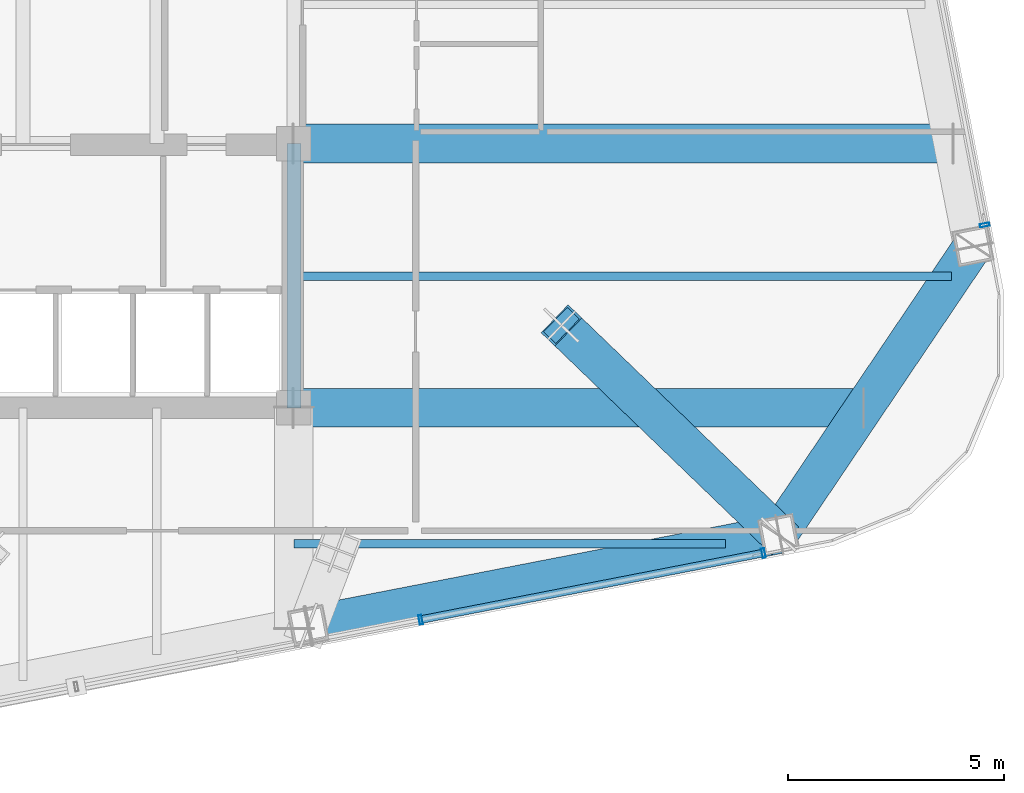
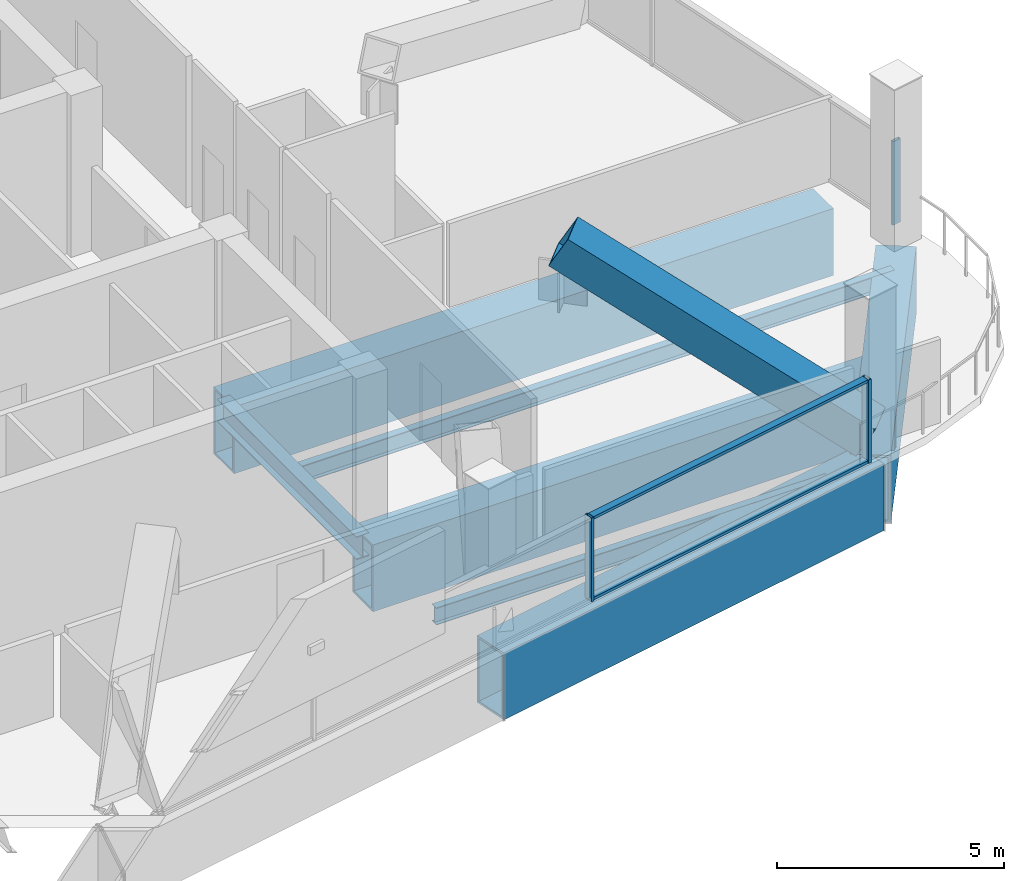
# One storey, part 8 of 26: 7 beams, 6 members, 2 elements without a shape of their own.
"""IFC4 building model written with IfcOpenShell, lengths in metres."""

from ifc_helpers import new_model, si_unit, direction, frame, origin, origin_2d, place, context, subcontext, project, spatial, hollow_rectangle, i_section, extrude, material, layer, layer_set, material_profile, profile_set, type_object, element, aggregate, save


model = new_model("IFC4")

# Units and contexts
model_context = context("Model", 3, precision=1e-05, world=origin(), true_north=direction((0.0, 1.0)))
body_context = subcontext(model_context, "Body", "Model", "MODEL_VIEW")
ifc_project = project(units=[si_unit("LENGTHUNIT", "METRE"), si_unit("AREAUNIT", "SQUARE_METRE"), si_unit("VOLUMEUNIT", "CUBIC_METRE"), si_unit("PLANEANGLEUNIT", "RADIAN"), si_unit("MASSUNIT", "GRAM", prefix="KILO")], contexts=[model_context])

# Site, building, storey
site_placement = place(None, origin())
site = spatial("IfcSite", under=ifc_project, at=site_placement, CompositionType="ELEMENT")
building_placement = place(site_placement, origin())
building = spatial("IfcBuilding", under=site, at=building_placement, Name="Qhalaya Broadcast Tower", CompositionType="ELEMENT")
storey_placement = place(building_placement, frame((0.0, 0.0, 140.25)))
storey = spatial("IfcBuildingStorey", under=building, at=storey_placement, Name="L41", CompositionType="ELEMENT", Elevation=140.25)

# Beams
ifc_material_1 = material(Name="Structural Steel ASTM A572 Grade 50", Category="steel")
ifc_material_profile_1 = material_profile(ifc_material_1, hollow_rectangle(XDim=0.89990234375, YDim=1.800048828125, WallThickness=0.06005859375, at=origin_2d()), Name="BOX 900x1800x60")
ifc_profile_set_1 = profile_set([ifc_material_profile_1], Name="Structural Steel ASTM A572 Grade 50")
beam_type_1 = type_object("IfcBeamType", Name="Block Cantilever Transfer Box Girder TG1", PredefinedType="USERDEFINED", material=ifc_profile_set_1)
beam_1_placement = place(storey_placement, frame((9.712646484375, -13.80029296875, -1.1201171875), z_axis=(0.981627979352, 0.190804900759, 0.0), x_axis=(-0.190804900759, 0.981627979352, 0.0)))
element("IfcBeam", 1, at=beam_1_placement, inside=storey, type_object=beam_type_1, Name="L41 TG1 L41-SPR-03", ObjectType="GIRDER", PredefinedType="USERDEFINED", context=body_context, shape_type="SweptSolid", body=[
    extrude(hollow_rectangle(XDim=0.89990234375, YDim=1.800048828125, WallThickness=0.06005859375, at=origin_2d()), origin(), (0.0, 0.0, 1.0), 11.099853515625),
])
beam_2_placement = place(storey_placement, frame((20.608642578125, -11.682373046875, -1.1201171875), z_axis=(0.559186208288, 0.829042088473, 0.0), x_axis=(-0.829042088473, 0.559186208288, 0.0)))
element("IfcBeam", 2, at=beam_2_placement, inside=storey, type_object=beam_type_1, Name="L41 TG1 L41-SPR-04", ObjectType="GIRDER", PredefinedType="USERDEFINED", context=body_context, shape_type="SweptSolid", body=[
    extrude(hollow_rectangle(XDim=0.89990234375, YDim=1.800048828125, WallThickness=0.06005859375, at=origin_2d()), origin(), (0.0, 0.0, 1.0), 8.06103515625),
])
beam_3_placement = place(storey_placement, frame((9.375, -8.75, -1.1201171875), z_axis=(1.0, 0.0, 0.0), x_axis=(0.0, 1.0, 0.0)))
element("IfcBeam", 3, at=beam_3_placement, inside=storey, type_object=beam_type_1, Name="L41 TG1 L41-PGYE1-1", ObjectType="GIRDER", PredefinedType="USERDEFINED", context=body_context, shape_type="SweptSolid", body=[
    extrude(hollow_rectangle(XDim=0.89990234375, YDim=1.800048828125, WallThickness=0.06005859375, at=origin_2d()), origin(), (0.0, 0.0, 1.0), 13.1875),
])
beam_4_placement = place(storey_placement, frame((9.375, -2.625, -1.1201171875), z_axis=(1.0, 0.0, 0.0), x_axis=(0.0, 1.0, 0.0)))
element("IfcBeam", 4, at=beam_4_placement, inside=storey, type_object=beam_type_1, Name="L41 TG1 L41-PGYE2-1", ObjectType="GIRDER", PredefinedType="USERDEFINED", context=body_context, shape_type="SweptSolid", body=[
    extrude(hollow_rectangle(XDim=0.89990234375, YDim=1.800048828125, WallThickness=0.06005859375, at=origin_2d()), origin(), (0.0, 0.0, 1.0), 15.259521484375),
])
ifc_material_2 = material(Name="Structural Steel ASTM A992 Grade 50", Category="steel")
ifc_material_profile_2 = material_profile(ifc_material_2, i_section(OverallWidth=0.19189453125, OverallDepth=0.462890625, WebThickness=0.010498046875, FlangeThickness=0.017578125, at=origin_2d()), Name="W18X60")
ifc_profile_set_2 = profile_set([ifc_material_profile_2], Name="Structural Steel ASTM A992 Grade 50")
beam_type_2 = type_object("IfcBeamType", Name="Composite Floor Joist J03", PredefinedType="JOIST", material=ifc_profile_set_2)
beam_5_placement = place(storey_placement, frame((9.375, -11.89990234375, -0.451416015625), z_axis=(1.0, 0.0, 0.0), x_axis=(0.0, 1.0, 0.0)))
element("IfcBeam", 5, at=beam_5_placement, inside=storey, type_object=beam_type_2, Name="L41 J03 L41-JWE2E-1", PredefinedType="JOIST", context=body_context, shape_type="SweptSolid", body=[
    extrude(i_section(OverallWidth=0.19189453125, OverallDepth=0.462890625, WebThickness=0.010498046875, FlangeThickness=0.017578125, at=origin_2d()), origin(), (0.0, 0.0, 1.0), 10.009521484375),
])
beam_6_placement = place(storey_placement, frame((9.375, -5.699951171875, -0.451416015625), z_axis=(1.0, 0.0, 0.0), x_axis=(0.0, 1.0, 0.0)))
element("IfcBeam", 6, at=beam_6_placement, inside=storey, type_object=beam_type_2, Name="L41 J03 L41-JWE3E-1", PredefinedType="JOIST", context=body_context, shape_type="SweptSolid", body=[
    extrude(i_section(OverallWidth=0.19189453125, OverallDepth=0.462890625, WebThickness=0.010498046875, FlangeThickness=0.017578125, at=origin_2d()), origin(), (0.0, 0.0, 1.0), 15.24462890625),
])
ifc_material_profile_3 = material_profile(ifc_material_2, i_section(OverallWidth=0.323974609375, OverallDepth=0.612060546875, WebThickness=0.0126953125, FlangeThickness=0.01904296875, at=origin_2d()), Name="W24X104")
ifc_profile_set_3 = profile_set([ifc_material_profile_3], Name="Structural Steel ASTM A992 Grade 50")
beam_type_3 = type_object("IfcBeamType", Name="Core Frame Tie Beam B04", PredefinedType="BEAM", material=ifc_profile_set_3)
beam_7_placement = place(storey_placement, frame((9.375, -8.75, -0.52587890625), z_axis=(0.0, 1.0, 0.0), x_axis=(-1.0, 0.0, 0.0)))
element("IfcBeam", 7, at=beam_7_placement, inside=storey, type_object=beam_type_3, Name="L41 B04 L41-CCS2", PredefinedType="BEAM", context=body_context, shape_type="SweptSolid", body=[
    extrude(i_section(OverallWidth=0.323974609375, OverallDepth=0.612060546875, WebThickness=0.0126953125, FlangeThickness=0.01904296875, at=origin_2d()), origin(), (0.0, 0.0, 1.0), 6.125),
])

# Member
ifc_material_profile_4 = material_profile(ifc_material_1, hollow_rectangle(XDim=0.89990234375, YDim=0.89990234375, WallThickness=0.054931640625, at=origin_2d()), Name="BOX 900x900x55")
ifc_profile_set_4 = profile_set([ifc_material_profile_4], Name="Structural Steel ASTM A572 Grade 50")
member_type_1 = type_object("IfcMemberType", Name="Heavy Exoskeleton Transfer Strut RK1", PredefinedType="BRACE", material=ifc_profile_set_4)
member_1_placement = place(storey_placement, frame((20.608642578125, -11.682373046875, 0.401611328125), z_axis=(-0.626981944051, 0.603755880871, 0.492313394239), x_axis=(-0.693638998805, -0.720322802177, 0.0)))
element("IfcMember", 8, at=member_1_placement, inside=storey, type_object=member_type_1, Name="L41 Inclined Exoskeleton Transfer Strut 05", PredefinedType="BRACE", context=body_context, shape_type="SweptSolid", body=[
    extrude(hollow_rectangle(XDim=0.89990234375, YDim=0.89990234375, WallThickness=0.054931640625, at=origin_2d()), origin(), (0.0, 0.0, 1.0), 8.020263671875),
])

# Curtain wall, members
ifc_material_3 = material(Name="Fired Architectural Terracotta", Category="masonry")
ifc_layer = layer(ifc_material_3, 0.219970703125, Name="Fired Architectural Terracotta")
ifc_layer_set = layer_set([ifc_layer], Name="Fired Architectural Terracotta")
curtain_wall_type = type_object("IfcCurtainWallType", Name="Block-Cap Unitised Terracotta Spandrel Wall CW-07", PredefinedType="NOTDEFINED", material=ifc_layer_set)
curtain_wall_1_placement = place(storey_placement, origin())
curtain_wall_1 = element("IfcCurtainWall", 9, at=curtain_wall_1_placement, inside=storey, type_object=curtain_wall_type, Name="L41 Unitised Curtain Wall L41-CW-S", PredefinedType="NOTDEFINED")
ifc_material_4 = material(Name="Anodised Aluminium 6063-T6", Category="aluminium")
ifc_material_profile_5 = material_profile(ifc_material_4, hollow_rectangle(XDim=0.074951171875, YDim=0.219970703125, WallThickness=0.00390625, at=origin_2d()), Name="ALU-MUL 75x220x4")
ifc_profile_set_5 = profile_set([ifc_material_profile_5], Name="Anodised Aluminium 6063-T6")
member_type_2 = type_object("IfcMemberType", Name="Unitised Curtain-Wall Mullion M01", PredefinedType="MULLION", material=ifc_profile_set_5)
member_2_placement = place(storey_placement, frame((20.259765625, -12.116943359375, 0.0), z_axis=(0.0, 0.0, 1.0), x_axis=(-0.981626973255, -0.190810076719, 0.0)))
member_2 = element("IfcMember", 10, at=member_2_placement, type_object=member_type_2, Name="CW-07 mullion 1", PredefinedType="MULLION", context=body_context, shape_type="SweptSolid", body=[
    extrude(hollow_rectangle(XDim=0.074951171875, YDim=0.219970703125, WallThickness=0.00390625, at=origin_2d()), origin(), (0.0, 0.0, 1.0), 2.25),
])
member_3_placement = place(storey_placement, frame((12.31494140625, -13.661376953125, 0.0), z_axis=(0.0, 0.0, 1.0), x_axis=(-0.981626973255, -0.190810076719, 0.0)))
member_3 = element("IfcMember", 11, at=member_3_placement, type_object=member_type_2, Name="CW-07 mullion 2", PredefinedType="MULLION", context=body_context, shape_type="SweptSolid", body=[
    extrude(hollow_rectangle(XDim=0.074951171875, YDim=0.219970703125, WallThickness=0.00390625, at=origin_2d()), origin(), (0.0, 0.0, 1.0), 2.25),
])

# Curtain wall, member
curtain_wall_2_placement = place(storey_placement, origin())
curtain_wall_2 = element("IfcCurtainWall", 12, at=curtain_wall_2_placement, inside=storey, type_object=curtain_wall_type, Name="L41 Unitised Curtain Wall L41-CW-E", PredefinedType="NOTDEFINED")
member_4_placement = place(storey_placement, frame((25.388427734375, -4.51318359375, 0.0), z_axis=(0.0, 0.0, 1.0), x_axis=(0.190810076719, -0.981626973255, 0.0)))
member_4 = element("IfcMember", 13, at=member_4_placement, type_object=member_type_2, Name="CW-07 mullion 5", PredefinedType="MULLION", context=body_context, shape_type="SweptSolid", body=[
    extrude(hollow_rectangle(XDim=0.074951171875, YDim=0.219970703125, WallThickness=0.00390625, at=origin_2d()), origin(), (0.0, 0.0, 1.0), 2.25),
])
aggregate(curtain_wall_2, [member_4])

# Member
ifc_material_profile_6 = material_profile(ifc_material_4, hollow_rectangle(XDim=0.074951171875, YDim=0.179931640625, WallThickness=0.00390625, at=origin_2d()), Name="ALU-TRN 75x180x4")
ifc_profile_set_6 = profile_set([ifc_material_profile_6], Name="Anodised Aluminium 6063-T6")
member_type_3 = type_object("IfcMemberType", Name="Unitised Curtain-Wall Transom T01", PredefinedType="USERDEFINED", material=ifc_profile_set_6)
member_5_placement = place(storey_placement, frame((20.222900390625, -12.1240234375, 0.03759765625), z_axis=(-0.981626163563, -0.190814242154, 0.0), x_axis=(0.0, 0.0, 1.0)))
member_5 = element("IfcMember", 14, at=member_5_placement, type_object=member_type_3, Name="CW-07 transom 1.1", ObjectType="TRANSOM", PredefinedType="USERDEFINED", context=body_context, shape_type="SweptSolid", body=[
    extrude(hollow_rectangle(XDim=0.074951171875, YDim=0.179931640625, WallThickness=0.00390625, at=origin_2d()), origin(), (0.0, 0.0, 1.0), 8.018310546875),
])

member_6_placement = place(storey_placement, frame((20.222900390625, -12.1240234375, 2.21240234375), z_axis=(-0.981626163563, -0.190814242154, 0.0), x_axis=(0.0, 0.0, 1.0)))
member_6 = element("IfcMember", 15, at=member_6_placement, type_object=member_type_3, Name="CW-07 transom 1.2", ObjectType="TRANSOM", PredefinedType="USERDEFINED", context=body_context, shape_type="SweptSolid", body=[
    extrude(hollow_rectangle(XDim=0.074951171875, YDim=0.179931640625, WallThickness=0.00390625, at=origin_2d()), origin(), (0.0, 0.0, 1.0), 8.018310546875),
])

aggregate(curtain_wall_1, [member_2, member_3, member_5, member_6])

save(model, "model.ifc")
